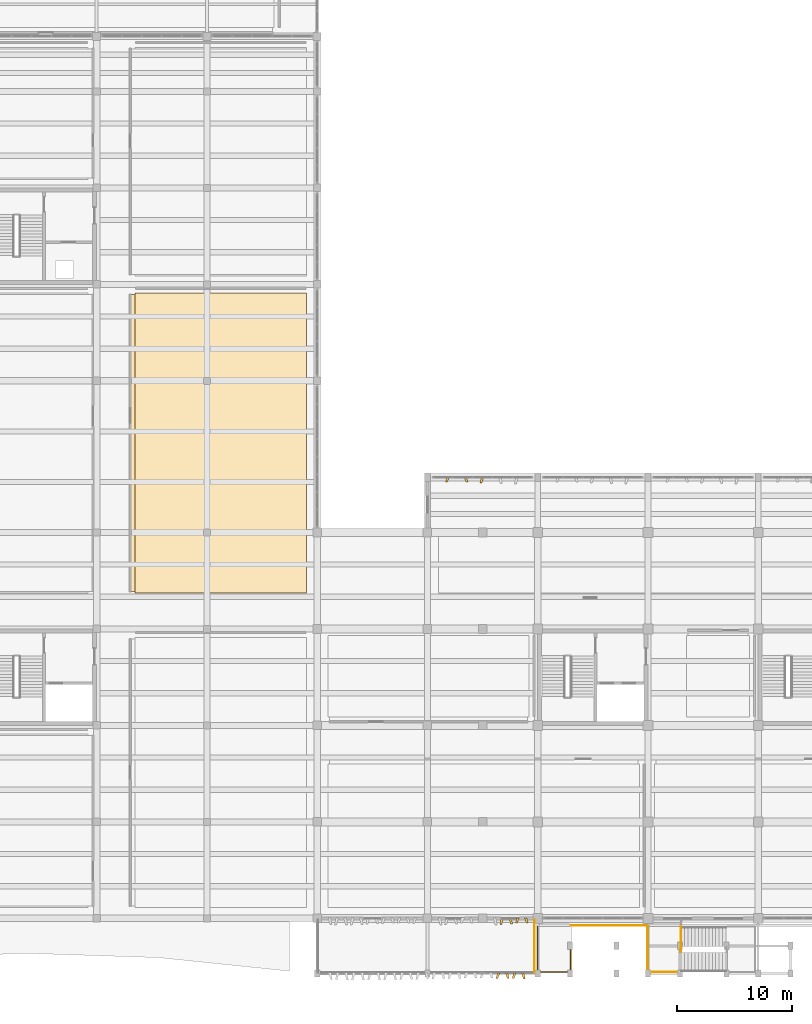
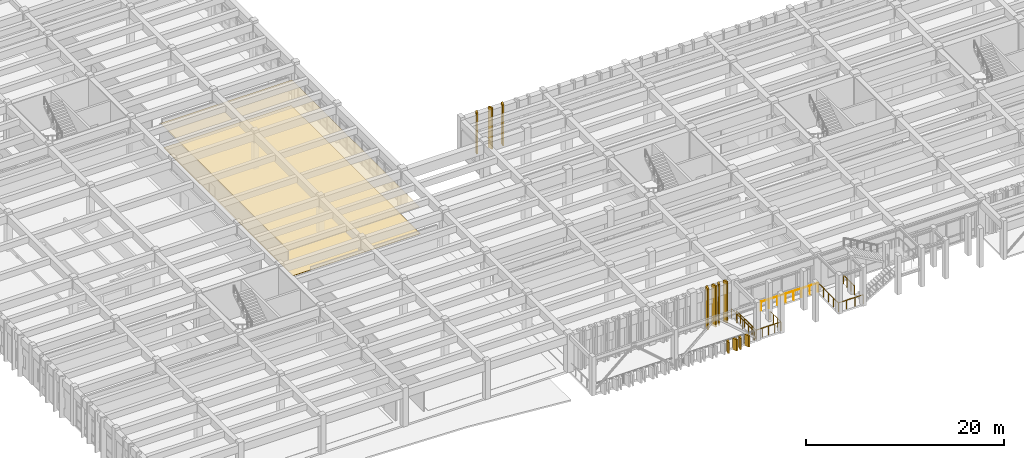
# One storey, part 76 of 86: 13 coverings, 5 railings.
"""IFC4 building model written with IfcOpenShell, lengths in metres."""

import ifcopenshell
import ifcopenshell.guid

model = None  # the IFC model being written
_history = None  # IfcOwnerHistory: only IFC2X3 demands one
_inside = {}  # id of a spatial element -> (the spatial element, [elements in it])
_under = {}  # id of a project, library or spatial element -> (it, [spatial elements below it])
_declared = {}  # id of a project -> (the project, [libraries it declares])
_typed = {}  # id of a type object -> (the type object, [elements of that type])
_made_of = {}  # id of a material, layer set ... -> (it, [elements and type objects made of it])


def new_model(schema):
    """Start an empty IFC model of exactly this schema.

    Asked for "IFC4X3", IfcOpenShell would pick the latest addendum, in which some entities
    have other attributes; the version numbers below select the first issue.
    IFC2X3 requires an IfcOwnerHistory on every rooted entity: one is made here for all.
    """
    global model, _history
    if schema == "IFC4X3":
        model = ifcopenshell.file(schema_version=(4, 3, 0, 0))
    else:
        model = ifcopenshell.file(schema=schema)
    _inside.clear()
    _under.clear()
    _declared.clear()
    _typed.clear()
    _made_of.clear()
    _history = None
    if model.schema == "IFC2X3":
        org = make("IfcOrganization", Name="unknown")
        user = make(
            "IfcPersonAndOrganization",
            ThePerson=make("IfcPerson", FamilyName="unknown"),
            TheOrganization=org,
        )
        app = make(
            "IfcApplication",
            ApplicationDeveloper=org,
            Version="unknown",
            ApplicationFullName="unknown",
            ApplicationIdentifier="unknown",
        )
        _history = make(
            "IfcOwnerHistory",
            OwningUser=user,
            OwningApplication=app,
            ChangeAction="ADDED",
            CreationDate=0,
        )
    return model


def make(cls, **values):
    """One entity of the class cls with the attributes given. An attribute that is None is left unset."""
    return model.create_entity(
        cls, **{name: value for name, value in values.items() if value is not None}
    )


def rooted(cls, **values):
    """An entity with a GlobalId (a new one), such as an element, a storey or a relation."""
    return make(cls, GlobalId=ifcopenshell.guid.new(), OwnerHistory=_history, **values)


def si_unit(unit_type, name, prefix=None):
    """IfcSIUnit, for example si_unit("LENGTHUNIT", "METRE", prefix="MILLI")."""
    return make("IfcSIUnit", UnitType=unit_type, Prefix=prefix, Name=name)


def assignment(units):
    """IfcUnitAssignment: the units of a project."""
    return None if units is None else make("IfcUnitAssignment", Units=units)


def point(xyz):
    """IfcCartesianPoint."""
    return None if xyz is None else make("IfcCartesianPoint", Coordinates=xyz)


def direction(xyz):
    """IfcDirection."""
    return None if xyz is None else make("IfcDirection", DirectionRatios=xyz)


def frame(location, z_axis=None, x_axis=None):
    """IfcAxis2Placement3D, a coordinate frame: its origin and axes. An axis left out is left unset."""
    return make(
        "IfcAxis2Placement3D",
        Location=point(location),
        Axis=direction(z_axis),
        RefDirection=direction(x_axis),
    )


def frame_2d(location, x_axis=None):
    """IfcAxis2Placement2D, a coordinate frame in the plane: its origin and x axis."""
    return make(
        "IfcAxis2Placement2D", Location=point(location), RefDirection=direction(x_axis)
    )


def origin():
    """The frame at (0, 0, 0) with its axes left unset."""
    return frame((0.0, 0.0, 0.0))


def origin_2d():
    """The frame at (0, 0) in the plane with its x axis left unset."""
    return frame_2d((0.0, 0.0))


def place(relative_to, where):
    """IfcLocalPlacement: puts the frame where relative to a parent placement (None: the world)."""
    return make(
        "IfcLocalPlacement", PlacementRelTo=relative_to, RelativePlacement=where
    )


def context(
    kind, dimensions, precision=None, world=None, true_north=None, identifier=None
):
    """IfcGeometricRepresentationContext, for example the 3D "Model" context."""
    return make(
        "IfcGeometricRepresentationContext",
        ContextIdentifier=identifier,
        ContextType=kind,
        CoordinateSpaceDimension=dimensions,
        Precision=precision,
        WorldCoordinateSystem=world,
        TrueNorth=true_north,
    )


def subcontext(parent, identifier, kind, view, scale=None):
    """IfcGeometricRepresentationSubContext, for example "Body" below "Model"."""
    return make(
        "IfcGeometricRepresentationSubContext",
        ContextIdentifier=identifier,
        ContextType=kind,
        ParentContext=parent,
        TargetScale=scale,
        TargetView=view,
    )


def project(units=None, contexts=None):
    """IfcProject with its units and contexts."""
    return rooted(
        "IfcProject",
        Name="project",
        RepresentationContexts=contexts,
        UnitsInContext=assignment(units),
    )


def spatial(cls, under=None, at=None, **own):
    """A site, building, storey or space (cls), placed at a placement, below another one or the project."""
    s = rooted(cls, ObjectPlacement=at, **own)
    if under is not None:
        _under.setdefault(under.id(), (under, []))[1].append(s)
    return s


def polyline(points):
    """IfcPolyline through the points."""
    return make("IfcPolyline", Points=[point(p) for p in points])


def profile(cls, at=None, kind="AREA", **sizes):
    """A parametric profile (cls). Its sizes go by their IFC names, for example OverallWidth=200.0."""
    return make(cls, ProfileType=kind, Position=at, **sizes)


def circle(**sizes):
    """IfcCircleProfileDef."""
    return profile("IfcCircleProfileDef", **sizes)


def outline(outer, holes=None, kind="AREA"):
    """IfcArbitraryClosedProfileDef: a profile drawn as a closed curve; with holes, ...WithVoids."""
    if holes is None:
        return make("IfcArbitraryClosedProfileDef", ProfileType=kind, OuterCurve=outer)
    return make(
        "IfcArbitraryProfileDefWithVoids",
        ProfileType=kind,
        OuterCurve=outer,
        InnerCurves=holes,
    )


def extrude(swept, where, along, depth):
    """IfcExtrudedAreaSolid: the profile swept, set in the frame where, extruded along a direction by depth."""
    return make(
        "IfcExtrudedAreaSolid",
        SweptArea=swept,
        Position=where,
        ExtrudedDirection=direction(along),
        Depth=depth,
    )


def shape(context_of_items, identifier, shape_type, items):
    """IfcShapeRepresentation: the items that make up one representation, for example the "Body"."""
    return make(
        "IfcShapeRepresentation",
        ContextOfItems=context_of_items,
        RepresentationIdentifier=identifier,
        RepresentationType=shape_type,
        Items=items,
    )


def material(Name=None, Category=None):
    """IfcMaterial."""
    return make("IfcMaterial", Name=Name, Category=Category)


def layer(
    of_material, thickness, ventilated=None, Name=None, Category=None, Priority=None
):
    """IfcMaterialLayer: one layer of a wall or slab, of a material (None: an air gap)."""
    return make(
        "IfcMaterialLayer",
        Material=of_material,
        LayerThickness=thickness,
        IsVentilated=ventilated,
        Name=Name,
        Category=Category,
        Priority=Priority,
    )


def layer_set(layers, Name=None):
    """IfcMaterialLayerSet."""
    return make("IfcMaterialLayerSet", MaterialLayers=layers, LayerSetName=Name)


def made_of(thing, what):
    """Note that an element or type object is made of a material, layer set ...; save() writes the relation."""
    if what is not None:
        _made_of.setdefault(what.id(), (what, []))[1].append(thing)
    return thing


def type_object(cls, material=None, **own):
    """A type object (cls), such as IfcWallType, which elements share."""
    return made_of(rooted(cls, **own), material)


def element(
    cls,
    number,
    at=None,
    inside=None,
    cuts=None,
    type_object=None,
    material=None,
    context=None,
    identifier="Body",
    shape_type=None,
    held_by="IfcProductDefinitionShape",
    body=None,
    shapes=None,
    **own,
):
    """One element of the class cls, such as IfcWall. Its Tag is "e" and its number.

    at: its placement. inside: the storey or other place that contains it. cuts: it is an
    opening in that element (IfcRelVoidsElement). A single representation is given by context,
    identifier, shape_type and body (its items); several are given by shapes. held_by: the class
    of the entity that holds the representations. save() writes the other relations.
    """
    e = rooted(cls, Tag="e%d" % number, ObjectPlacement=at, **own)
    if body is not None:
        shapes = [shape(context, identifier, shape_type, body)]
    if shapes is not None:
        e.Representation = make(held_by, Representations=shapes)
    if inside is not None:
        _inside.setdefault(inside.id(), (inside, []))[1].append(e)
    if cuts is not None:
        rooted(
            "IfcRelVoidsElement", RelatingBuildingElement=cuts, RelatedOpeningElement=e
        )
    if type_object is not None:
        _typed.setdefault(type_object.id(), (type_object, []))[1].append(e)
    return made_of(e, material)


def aggregate(whole, parts):
    """IfcRelAggregates: a whole, such as a stair, and the parts it consists of."""
    return rooted("IfcRelAggregates", RelatingObject=whole, RelatedObjects=parts)


def save(model, path):
    """Write the relations noted so far, then the file.

    IfcRelAggregates (storeys below a building ...), IfcRelContainedInSpatialStructure (elements
    in a storey), IfcRelDefinesByType, IfcRelAssociatesMaterial and IfcRelDeclares: one each for
    every whole, place, type object, material and project.
    """
    for whole, parts in _under.values():
        aggregate(whole, parts)
    for where, things in _inside.values():
        rooted(
            "IfcRelContainedInSpatialStructure",
            RelatedElements=things,
            RelatingStructure=where,
        )
    for kind, things in _typed.values():
        rooted("IfcRelDefinesByType", RelatedObjects=things, RelatingType=kind)
    for what, things in _made_of.values():
        rooted("IfcRelAssociatesMaterial", RelatedObjects=things, RelatingMaterial=what)
    for by, libraries in _declared.values():
        rooted("IfcRelDeclares", RelatingContext=by, RelatedDefinitions=libraries)
    model.write(path)


model = new_model("IFC4")

# Units and contexts
model_context = context("Model", 3, precision=1e-05, world=origin(), true_north=direction((0.0, 1.0)))
body_context = subcontext(model_context, "Body", "Model", "MODEL_VIEW")
ifc_project = project(units=[si_unit("LENGTHUNIT", "METRE"), si_unit("AREAUNIT", "SQUARE_METRE"), si_unit("VOLUMEUNIT", "CUBIC_METRE"), si_unit("PLANEANGLEUNIT", "RADIAN"), si_unit("MASSUNIT", "GRAM", prefix="KILO")], contexts=[model_context])

# Site, building, storey
site_placement = place(None, origin())
site = spatial("IfcSite", under=ifc_project, at=site_placement, CompositionType="ELEMENT")
building_placement = place(site_placement, origin())
building = spatial("IfcBuilding", under=site, at=building_placement, Name="Kolvemor Railside Polytechnic", CompositionType="ELEMENT")
storey_placement = place(building_placement, frame((0.0, 0.0, 5.39990234375)))
storey = spatial("IfcBuildingStorey", under=building, at=storey_placement, Name="L01", CompositionType="ELEMENT", Elevation=5.39990234375)

# Coverings
ifc_material_1 = material(Name="Perforated acoustic mineral-fibre and timber-slat ceiling", Category="wood")
ifc_layer_1 = layer(ifc_material_1, 0.034912109375, Name="COV-CEIL-3")
ifc_layer_set_1 = layer_set([ifc_layer_1], Name="Perforated acoustic mineral-fibre and timber-slat ceiling")
covering_type_1 = type_object("IfcCoveringType", Name="COV-CEIL-3", PredefinedType="CEILING", material=ifc_layer_set_1)
covering_1_placement = place(storey_placement, frame((0.0, 0.0, 3.22509765625)))
element("IfcCovering", 1, at=covering_1_placement, inside=storey, type_object=covering_type_1, Name="Building Physics and Acoustics Laboratory Acoustic Ceiling", PredefinedType="CEILING", context=body_context, shape_type="SweptSolid", body=[
    extrude(outline(polyline([(31.719970703125, 33.280029296875), (47.050048828125, 33.280029296875), (47.050048828125, 59.1201171875), (31.719970703125, 59.1201171875), (31.719970703125, 33.280029296875)])), origin(), (0.0, 0.0, 1.0), 0.034912109375),
])
ifc_material_2 = material(Name="Champagne-bronze PVDF-anodised marine aluminium 5052-H32", Category="aluminium")
ifc_layer_2 = layer(ifc_material_2, 0.179931640625, Name="COV-FIN-CHAMP")
ifc_layer_set_2 = layer_set([ifc_layer_2], Name="Champagne-bronze PVDF-anodised marine aluminium 5052-H32")
covering_type_2 = type_object("IfcCoveringType", Name="COV-FIN-CHAMP", PredefinedType="CLADDING", material=ifc_layer_set_2)
covering_2_placement = place(storey_placement, frame((0.0, 0.0, -0.289794921875)))
element("IfcCovering", 2, at=covering_2_placement, inside=storey, type_object=covering_type_2, Name="Pleated Solar Fin L01-0294", PredefinedType="CLADDING", context=body_context, shape_type="SweptSolid", body=[
    extrude(outline(polyline([(64.0048828125, 4.8349609375), (64.235107421875, 4.8349609375), (64.06005859375, 4.2529296875), (63.89990234375, 4.2529296875), (64.0048828125, 4.8349609375)])), origin(), (0.0, 0.0, 1.0), 5.08984375),
])
covering_3_placement = place(storey_placement, frame((0.0, 0.0, -0.289794921875)))
element("IfcCovering", 3, at=covering_3_placement, inside=storey, type_object=covering_type_2, Name="Pleated Solar Fin L01-0295", PredefinedType="CLADDING", context=body_context, shape_type="SweptSolid", body=[
    extrude(outline(polyline([(64.68505859375, 4.8349609375), (64.9150390625, 4.8349609375), (65.02001953125, 4.31494140625), (64.860107421875, 4.31494140625), (64.68505859375, 4.8349609375)])), origin(), (0.0, 0.0, 1.0), 5.08984375),
])
covering_4_placement = place(storey_placement, frame((0.0, 0.0, -0.289794921875)))
element("IfcCovering", 4, at=covering_4_placement, inside=storey, type_object=covering_type_2, Name="Pleated Solar Fin L01-0296", PredefinedType="CLADDING", context=body_context, shape_type="SweptSolid", body=[
    extrude(outline(polyline([(65.364990234375, 4.8349609375), (65.594970703125, 4.8349609375), (65.419921875, 4.376953125), (65.260009765625, 4.376953125), (65.364990234375, 4.8349609375)])), origin(), (0.0, 0.0, 1.0), 5.08984375),
])
covering_5_placement = place(storey_placement, frame((0.0, 0.0, -0.289794921875)))
element("IfcCovering", 5, at=covering_5_placement, inside=storey, type_object=covering_type_2, Name="Pleated Solar Fin L01-0297", PredefinedType="CLADDING", context=body_context, shape_type="SweptSolid", body=[
    extrude(outline(polyline([(66.044921875, 4.8349609375), (66.27490234375, 4.8349609375), (66.3798828125, 4.39306640625), (66.219970703125, 4.39306640625), (66.044921875, 4.8349609375)])), origin(), (0.0, 0.0, 1.0), 5.08984375),
])
covering_6_placement = place(storey_placement, frame((0.0, 0.0, -0.239990234375)))
element("IfcCovering", 6, at=covering_6_placement, inside=storey, type_object=covering_type_2, Name="Pleated Solar Fin L01-0753", PredefinedType="CLADDING", context=body_context, shape_type="SweptSolid", body=[
    extrude(outline(polyline([(63.68505859375, 0.034912109375), (63.9150390625, 0.034912109375), (63.739990234375, -0.4150390625), (63.580078125, -0.4150390625), (63.68505859375, 0.034912109375)])), origin(), (0.0, 0.0, 1.0), 1.39013671875),
])
covering_7_placement = place(storey_placement, frame((0.0, 0.0, -0.239990234375)))
element("IfcCovering", 7, at=covering_7_placement, inside=storey, type_object=covering_type_2, Name="Pleated Solar Fin L01-0754", PredefinedType="CLADDING", context=body_context, shape_type="SweptSolid", body=[
    extrude(outline(polyline([(64.385009765625, 0.034912109375), (64.614990234375, 0.034912109375), (64.719970703125, -0.426025390625), (64.56005859375, -0.426025390625), (64.385009765625, 0.034912109375)])), origin(), (0.0, 0.0, 1.0), 1.39013671875),
])
covering_8_placement = place(storey_placement, frame((0.0, 0.0, -0.239990234375)))
element("IfcCovering", 8, at=covering_8_placement, inside=storey, type_object=covering_type_2, Name="Pleated Solar Fin L01-0755", PredefinedType="CLADDING", context=body_context, shape_type="SweptSolid", body=[
    extrude(outline(polyline([(65.0849609375, 0.034912109375), (65.31494140625, 0.034912109375), (65.139892578125, -0.43994140625), (64.97998046875, -0.43994140625), (65.0849609375, 0.034912109375)])), origin(), (0.0, 0.0, 1.0), 1.39013671875),
])
covering_9_placement = place(storey_placement, frame((0.0, 0.0, -0.239990234375)))
element("IfcCovering", 9, at=covering_9_placement, inside=storey, type_object=covering_type_2, Name="Pleated Solar Fin L01-0756", PredefinedType="CLADDING", context=body_context, shape_type="SweptSolid", body=[
    extrude(outline(polyline([(65.784912109375, 0.034912109375), (66.014892578125, 0.034912109375), (66.1201171875, -0.45703125), (65.9599609375, -0.45703125), (65.784912109375, 0.034912109375)])), origin(), (0.0, 0.0, 1.0), 1.39013671875),
])
ifc_material_3 = material(Name="Sea-mist PVDF-anodised marine aluminium 5052-H32", Category="aluminium")
ifc_layer_3 = layer(ifc_material_3, 0.159912109375, Name="COV-FIN-MIST")
ifc_layer_set_3 = layer_set([ifc_layer_3], Name="Sea-mist PVDF-anodised marine aluminium 5052-H32")
covering_type_3 = type_object("IfcCoveringType", Name="COV-FIN-MIST", PredefinedType="CLADDING", material=ifc_layer_set_3)
covering_10_placement = place(storey_placement, frame((0.0, 0.0, -0.289794921875)))
element("IfcCovering", 10, at=covering_10_placement, inside=storey, type_object=covering_type_3, Name="Pleated Solar Fin L01-0452", PredefinedType="CLADDING", context=body_context, shape_type="SweptSolid", body=[
    extrude(outline(polyline([(62.514892578125, 43.235107421875), (62.284912109375, 43.235107421875), (62.179931640625, 42.715087890625), (62.340087890625, 42.715087890625), (62.514892578125, 43.235107421875)])), origin(), (0.0, 0.0, 1.0), 5.08984375),
])
covering_11_placement = place(storey_placement, frame((0.0, 0.0, -0.289794921875)))
element("IfcCovering", 11, at=covering_11_placement, inside=storey, type_object=covering_type_3, Name="Pleated Solar Fin L01-0453", PredefinedType="CLADDING", context=body_context, shape_type="SweptSolid", body=[
    extrude(outline(polyline([(61.014892578125, 43.235107421875), (60.784912109375, 43.235107421875), (60.9599609375, 42.781982421875), (61.1201171875, 42.781982421875), (61.014892578125, 43.235107421875)])), origin(), (0.0, 0.0, 1.0), 5.08984375),
])
covering_12_placement = place(storey_placement, frame((0.0, 0.0, -0.289794921875)))
element("IfcCovering", 12, at=covering_12_placement, inside=storey, type_object=covering_type_3, Name="Pleated Solar Fin L01-0454", PredefinedType="CLADDING", context=body_context, shape_type="SweptSolid", body=[
    extrude(outline(polyline([(59.514892578125, 43.235107421875), (59.284912109375, 43.235107421875), (59.179931640625, 42.7890625), (59.340087890625, 42.7890625), (59.514892578125, 43.235107421875)])), origin(), (0.0, 0.0, 1.0), 5.08984375),
])
ifc_material_4 = material(Name="Polished coral-aggregate terrazzo and laboratory epoxy flooring")
ifc_layer_4 = layer(ifc_material_4, 0.030029296875, Name="COV-FLR-3")
ifc_layer_set_4 = layer_set([ifc_layer_4], Name="Polished coral-aggregate terrazzo and laboratory epoxy flooring")
covering_type_4 = type_object("IfcCoveringType", Name="COV-FLR-3", PredefinedType="FLOORING", material=ifc_layer_set_4)
covering_13_placement = place(storey_placement, origin())
element("IfcCovering", 13, at=covering_13_placement, inside=storey, type_object=covering_type_4, Name="Building Physics and Acoustics Laboratory Floor Finish", PredefinedType="FLOORING", context=body_context, shape_type="SweptSolid", body=[
    extrude(outline(polyline([(32.14990234375, 33.14990234375), (47.050048828125, 33.14990234375), (47.050048828125, 59.25), (32.14990234375, 59.25), (32.14990234375, 33.14990234375)])), origin(), (0.0, 0.0, 1.0), 0.030029296875),
])

# Railings
ifc_material_5 = material(Name="AISI 316 marine stainless-steel balustrade guard", Category="steel")
railing_type = type_object("IfcRailingType", Name="RLG-GUARD-1120", PredefinedType="BALUSTRADE", material=ifc_material_5)
railing_1_placement = place(storey_placement, frame((66.919921875, 0.080078125, 0.0)))
element("IfcRailing", 14, at=railing_1_placement, inside=storey, type_object=railing_type, Name="Shifted West Loggia Terrace L01 E Guard GR-002", PredefinedType="BALUSTRADE", context=body_context, shape_type="SweptSolid", body=[
    extrude(circle(Radius=0.02392578125, at=origin_2d()), frame((0.0, 0.054931640625, 1.09619140625), z_axis=(0.0, 1.0, 0.0), x_axis=(-1.0, 0.0, 0.0)), (0.0, 0.0, 1.0), 4.4697265625),
    extrude(circle(Radius=0.02099609375, at=origin_2d()), origin(), (0.0, 0.0, 1.0), 1.05712890625),
    extrude(circle(Radius=0.02099609375, at=origin_2d()), frame((0.0, 1.14501953125, 0.0)), (0.0, 0.0, 1.0), 1.05712890625),
    extrude(circle(Radius=0.02099609375, at=origin_2d()), frame((0.0, 2.2900390625, 0.0)), (0.0, 0.0, 1.0), 1.05712890625),
    extrude(circle(Radius=0.02099609375, at=origin_2d()), frame((0.0, 3.434814453125, 0.0)), (0.0, 0.0, 1.0), 1.05712890625),
    extrude(circle(Radius=0.02099609375, at=origin_2d()), frame((0.0, 4.579833984375, 0.0)), (0.0, 0.0, 1.0), 1.05712890625),
])
railing_2_placement = place(storey_placement, frame((79.679931640625, 0.1201171875, 0.0)))
element("IfcRailing", 15, at=railing_2_placement, inside=storey, type_object=railing_type, Name="ST-EXT Departure Landing Guard L01", PredefinedType="BALUSTRADE", context=body_context, shape_type="SweptSolid", body=[
    extrude(circle(Radius=0.02392578125, at=origin_2d()), frame((-0.054931640625, 0.0, 1.09619140625), z_axis=(-1.0, 0.0, 0.0), x_axis=(0.0, -1.0, 0.0)), (0.0, 0.0, 1.0), 2.7998046875),
    extrude(circle(Radius=0.02392578125, at=origin_2d()), frame((-2.909912109375, 0.054931640625, 1.09619140625), z_axis=(0.0, 1.0, 0.0), x_axis=(-1.0, 0.0, 0.0)), (0.0, 0.0, 1.0), 3.849853515625),
    extrude(circle(Radius=0.02099609375, at=origin_2d()), origin(), (0.0, 0.0, 1.0), 1.05712890625),
    extrude(circle(Radius=0.02099609375, at=origin_2d()), frame((-0.969970703125, 0.0, 0.0)), (0.0, 0.0, 1.0), 1.05712890625),
    extrude(circle(Radius=0.02099609375, at=origin_2d()), frame((-1.93994140625, 0.0, 0.0)), (0.0, 0.0, 1.0), 1.05712890625),
    extrude(circle(Radius=0.02099609375, at=origin_2d()), frame((-2.909912109375, 0.0, 0.0)), (0.0, 0.0, 1.0), 1.05712890625),
    extrude(circle(Radius=0.02099609375, at=origin_2d()), frame((-2.909912109375, 0.989990234375, 0.0)), (0.0, 0.0, 1.0), 1.05712890625),
    extrude(circle(Radius=0.02099609375, at=origin_2d()), frame((-2.909912109375, 1.97998046875, 0.0)), (0.0, 0.0, 1.0), 1.05712890625),
    extrude(circle(Radius=0.02099609375, at=origin_2d()), frame((-2.909912109375, 2.969970703125, 0.0)), (0.0, 0.0, 1.0), 1.05712890625),
    extrude(circle(Radius=0.02099609375, at=origin_2d()), frame((-2.909912109375, 3.9599609375, 0.0)), (0.0, 0.0, 1.0), 1.05712890625),
])
railing_3_placement = place(storey_placement, frame((79.679931640625, 1.860107421875, 0.0)))
element("IfcRailing", 16, at=railing_3_placement, inside=storey, type_object=railing_type, Name="ST-EXT Departure Landing East Guard L01", PredefinedType="BALUSTRADE", context=body_context, shape_type="SweptSolid", body=[
    extrude(circle(Radius=0.02392578125, at=origin_2d()), frame((0.0, 0.054931640625, 1.09619140625), z_axis=(0.0, 1.0, 0.0), x_axis=(-1.0, 0.0, 0.0)), (0.0, 0.0, 1.0), 2.169677734375),
    extrude(circle(Radius=0.02099609375, at=origin_2d()), origin(), (0.0, 0.0, 1.0), 1.05712890625),
    extrude(circle(Radius=0.02099609375, at=origin_2d()), frame((0.0, 0.760009765625, 0.0)), (0.0, 0.0, 1.0), 1.05712890625),
    extrude(circle(Radius=0.02099609375, at=origin_2d()), frame((0.0, 1.519775390625, 0.0)), (0.0, 0.0, 1.0), 1.05712890625),
    extrude(circle(Radius=0.02099609375, at=origin_2d()), frame((0.0, 2.27978515625, 0.0)), (0.0, 0.0, 1.0), 1.05712890625),
])
railing_4_placement = place(storey_placement, frame((70.110107421875, 4.199951171875, 0.0)))
element("IfcRailing", 17, at=railing_4_placement, inside=storey, type_object=railing_type, Name="ST-EXT Rear Gallery South Guard L01-1", PredefinedType="BALUSTRADE", context=body_context, shape_type="SweptSolid", body=[
    extrude(circle(Radius=0.02392578125, at=origin_2d()), frame((0.054931640625, 0.0, 1.09619140625), z_axis=(1.0, 0.0, 0.0), x_axis=(0.0, 1.0, 0.0)), (0.0, 0.0, 1.0), 6.519775390625),
    extrude(circle(Radius=0.02099609375, at=origin_2d()), origin(), (0.0, 0.0, 1.0), 1.05712890625),
    extrude(circle(Radius=0.02099609375, at=origin_2d()), frame((0.947021484375, 0.0, 0.0)), (0.0, 0.0, 1.0), 1.05712890625),
    extrude(circle(Radius=0.02099609375, at=origin_2d()), frame((1.894287109375, 0.0, 0.0)), (0.0, 0.0, 1.0), 1.05712890625),
    extrude(circle(Radius=0.02099609375, at=origin_2d()), frame((2.84130859375, 0.0, 0.0)), (0.0, 0.0, 1.0), 1.05712890625),
    extrude(circle(Radius=0.02099609375, at=origin_2d()), frame((3.78857421875, 0.0, 0.0)), (0.0, 0.0, 1.0), 1.05712890625),
    extrude(circle(Radius=0.02099609375, at=origin_2d()), frame((4.735595703125, 0.0, 0.0)), (0.0, 0.0, 1.0), 1.05712890625),
    extrude(circle(Radius=0.02099609375, at=origin_2d()), frame((5.682861328125, 0.0, 0.0)), (0.0, 0.0, 1.0), 1.05712890625),
    extrude(circle(Radius=0.02099609375, at=origin_2d()), frame((6.6298828125, 0.0, 0.0)), (0.0, 0.0, 1.0), 1.05712890625),
])
railing_5_placement = place(storey_placement, frame((70.080078125, 2.340087890625, 0.0)))
element("IfcRailing", 18, at=railing_5_placement, inside=storey, type_object=railing_type, Name="ST-EXT Arrival Landing Perimeter Guard L01", PredefinedType="BALUSTRADE", context=body_context, shape_type="SweptSolid", body=[
    extrude(circle(Radius=0.02392578125, at=origin_2d()), frame((0.0, -0.054931640625, 1.09619140625), z_axis=(0.0, -1.0, 0.0), x_axis=(1.0, 0.0, 0.0)), (0.0, 0.0, 1.0), 2.10986328125),
    extrude(circle(Radius=0.02392578125, at=origin_2d()), frame((-0.054931640625, -2.219970703125, 1.09619140625), z_axis=(-1.0, 0.0, 0.0), x_axis=(0.0, -1.0, 0.0)), (0.0, 0.0, 1.0), 2.800048828125),
    extrude(circle(Radius=0.02392578125, at=origin_2d()), frame((-2.91015625, -2.1650390625, 1.09619140625), z_axis=(0.0, 1.0, 0.0), x_axis=(-1.0, 0.0, 0.0)), (0.0, 0.0, 1.0), 3.849853515625),
    extrude(circle(Radius=0.02099609375, at=origin_2d()), origin(), (0.0, 0.0, 1.0), 1.05712890625),
    extrude(circle(Radius=0.02099609375, at=origin_2d()), frame((0.0, -0.739990234375, 0.0)), (0.0, 0.0, 1.0), 1.05712890625),
    extrude(circle(Radius=0.02099609375, at=origin_2d()), frame((0.0, -1.47998046875, 0.0)), (0.0, 0.0, 1.0), 1.05712890625),
    extrude(circle(Radius=0.02099609375, at=origin_2d()), frame((0.0, -2.219970703125, 0.0)), (0.0, 0.0, 1.0), 1.05712890625),
    extrude(circle(Radius=0.02099609375, at=origin_2d()), frame((-0.7275390625, -2.219970703125, 0.0)), (0.0, 0.0, 1.0), 1.05712890625),
    extrude(circle(Radius=0.02099609375, at=origin_2d()), frame((-1.455078125, -2.219970703125, 0.0)), (0.0, 0.0, 1.0), 1.05712890625),
    extrude(circle(Radius=0.02099609375, at=origin_2d()), frame((-2.1826171875, -2.219970703125, 0.0)), (0.0, 0.0, 1.0), 1.05712890625),
    extrude(circle(Radius=0.02099609375, at=origin_2d()), frame((-2.91015625, -2.219970703125, 0.0)), (0.0, 0.0, 1.0), 1.05712890625),
    extrude(circle(Radius=0.02099609375, at=origin_2d()), frame((-2.91015625, -1.427978515625, 0.0)), (0.0, 0.0, 1.0), 1.05712890625),
    extrude(circle(Radius=0.02099609375, at=origin_2d()), frame((-2.91015625, -0.635986328125, 0.0)), (0.0, 0.0, 1.0), 1.05712890625),
    extrude(circle(Radius=0.02099609375, at=origin_2d()), frame((-2.91015625, 0.156005859375, 0.0)), (0.0, 0.0, 1.0), 1.05712890625),
    extrude(circle(Radius=0.02099609375, at=origin_2d()), frame((-2.91015625, 0.947998046875, 0.0)), (0.0, 0.0, 1.0), 1.05712890625),
    extrude(circle(Radius=0.02099609375, at=origin_2d()), frame((-2.91015625, 1.739990234375, 0.0)), (0.0, 0.0, 1.0), 1.05712890625),
])

save(model, "model.ifc")
